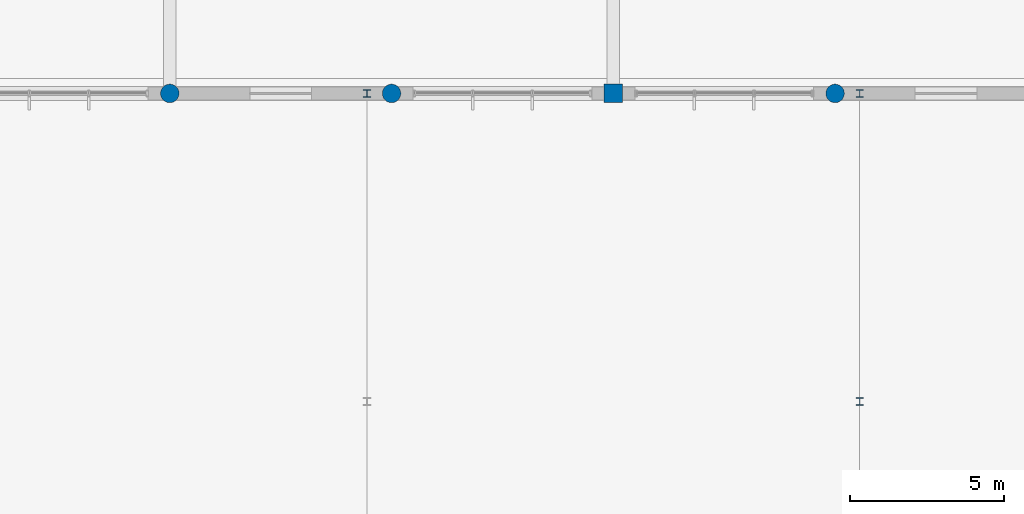
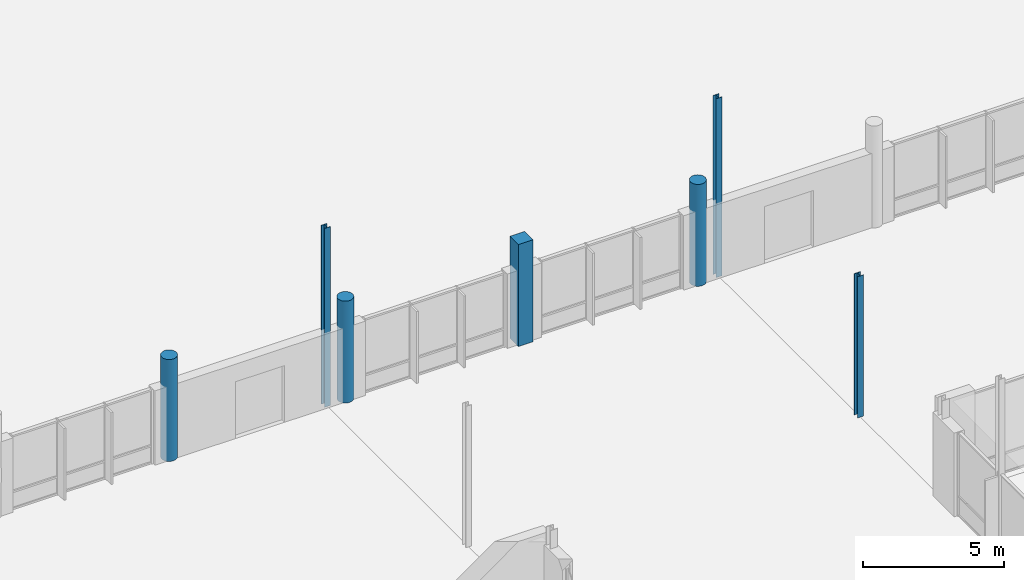
# One storey, part 5 of 233: 7 columns.
"""IFC4 building model written with IfcOpenShell, lengths in metres."""

from ifc_helpers import new_model, si_unit, direction, frame, origin, origin_2d, place, context, subcontext, project, spatial, rectangle, circle, i_section, extrude, material, material_profile, profile_set, type_object, element, save


model = new_model("IFC4")

# Units and contexts
model_context = context("Model", 3, precision=1e-05, world=origin(), true_north=direction((0.0, 1.0)))
body_context = subcontext(model_context, "Body", "Model", "MODEL_VIEW")
ifc_project = project(units=[si_unit("LENGTHUNIT", "METRE"), si_unit("AREAUNIT", "SQUARE_METRE"), si_unit("VOLUMEUNIT", "CUBIC_METRE"), si_unit("PLANEANGLEUNIT", "RADIAN"), si_unit("MASSUNIT", "GRAM", prefix="KILO")], contexts=[model_context])

# Site, building, storey
site_placement = place(None, origin())
site = spatial("IfcSite", under=ifc_project, at=site_placement, CompositionType="ELEMENT")
building_placement = place(site_placement, origin())
building = spatial("IfcBuilding", under=site, at=building_placement, Name="Zavelmont Quarter", CompositionType="ELEMENT")
storey_placement = place(building_placement, origin())
storey = spatial("IfcBuildingStorey", under=building, at=storey_placement, Name="L00", CompositionType="ELEMENT", Elevation=0.0)

# Columns
ifc_material_1 = material(Name="Concrete C40/50", Category="concrete")
ifc_material_profile_1 = material_profile(ifc_material_1, rectangle(XDim=0.60009765625, YDim=0.60009765625, at=origin_2d()), Name="RC600X600")
ifc_profile_set_1 = profile_set([ifc_material_profile_1], Name="Concrete C40/50")
column_type_1 = type_object("IfcColumnType", Name="CL01", PredefinedType="COLUMN", material=ifc_profile_set_1)
column_1_placement = place(storey_placement, frame((84.0, 30.0, 0.0), z_axis=(0.0, 0.0, 1.0), x_axis=(1.0, 0.0, 0.0)))
element("IfcColumn", 1, at=column_1_placement, inside=storey, type_object=column_type_1, Name="L00 column CL01 at 13/F", PredefinedType="COLUMN", context=body_context, shape_type="SweptSolid", body=[
    extrude(rectangle(XDim=0.60009765625, YDim=0.60009765625, at=origin_2d()), origin(), (0.0, 0.0, 1.0), 4.39990234375),
])
ifc_material_profile_2 = material_profile(ifc_material_1, circle(Radius=0.300048828125, at=origin_2d()), Name="CHD600")
ifc_profile_set_2 = profile_set([ifc_material_profile_2], Name="Concrete C40/50")
column_type_2 = type_object("IfcColumnType", Name="CL08", PredefinedType="COLUMN", material=ifc_profile_set_2)
for number, where, z_axis, x_axis, name in (
    (2, (69.60009765625, 30.0, 0.0), (0.0, 0.0, 1.0), (1.0, 0.0, 0.0), "L00 column CL08 at 11/F"),
    (3, (76.800048828125, 30.0, 0.0), (0.0, 0.0, 1.0), (1.0, 0.0, 0.0), "L00 column CL08 at 12/F"),
    (4, (91.199951171875, 30.0, 0.0), (0.0, 0.0, 1.0), (1.0, 0.0, 0.0), "L00 column CL08 at 14/F"),
):
    element("IfcColumn", number, at=place(storey_placement, frame(where, z_axis=z_axis, x_axis=x_axis)), inside=storey, type_object=column_type_2, Name=name, PredefinedType="COLUMN", context=body_context, shape_type="SweptSolid", body=[
        extrude(circle(Radius=0.300048828125, at=origin_2d()), origin(), (0.0, 0.0, 1.0), 4.39990234375),
    ])
ifc_material_2 = material(Name="Steel S355", Category="steel")
ifc_material_profile_3 = material_profile(ifc_material_2, i_section(OverallWidth=0.239990234375, OverallDepth=0.239990234375, WebThickness=0.010009765625, FlangeThickness=0.01708984375, at=origin_2d()), Name="HEB 240")
ifc_profile_set_3 = profile_set([ifc_material_profile_3], Name="Steel S355")
column_type_3 = type_object("IfcColumnType", Name="CL11", PredefinedType="COLUMN", material=ifc_profile_set_3)
column_2_placement = place(storey_placement, frame((92.0, 20.0, 0.0), z_axis=(0.0, 0.0, 1.0), x_axis=(1.0, 0.0, 0.0)))
element("IfcColumn", 5, at=column_2_placement, inside=storey, type_object=column_type_3, Name="L00 column CL11 at 14/D", PredefinedType="COLUMN", context=body_context, shape_type="SweptSolid", body=[
    extrude(i_section(OverallWidth=0.239990234375, OverallDepth=0.239990234375, WebThickness=0.010009765625, FlangeThickness=0.01708984375, at=origin_2d()), origin(), (0.0, 0.0, 1.0), 6.10009765625),
])
for number, where, z_axis, x_axis, name in (
    (6, (76.0, 30.0, 0.0), (0.0, 0.0, 1.0), (1.0, 0.0, 0.0), "L00 column CL11 at 12/F"),
    (7, (92.0, 30.0, 0.0), (0.0, 0.0, 1.0), (1.0, 0.0, 0.0), "L00 column CL11 at 14/F"),
):
    element("IfcColumn", number, at=place(storey_placement, frame(where, z_axis=z_axis, x_axis=x_axis)), inside=storey, type_object=column_type_3, Name=name, PredefinedType="COLUMN", context=body_context, shape_type="SweptSolid", body=[
        extrude(i_section(OverallWidth=0.239990234375, OverallDepth=0.239990234375, WebThickness=0.010009765625, FlangeThickness=0.01708984375, at=origin_2d()), origin(), (0.0, 0.0, 1.0), 7.719970703125),
    ])

save(model, "model.ifc")
